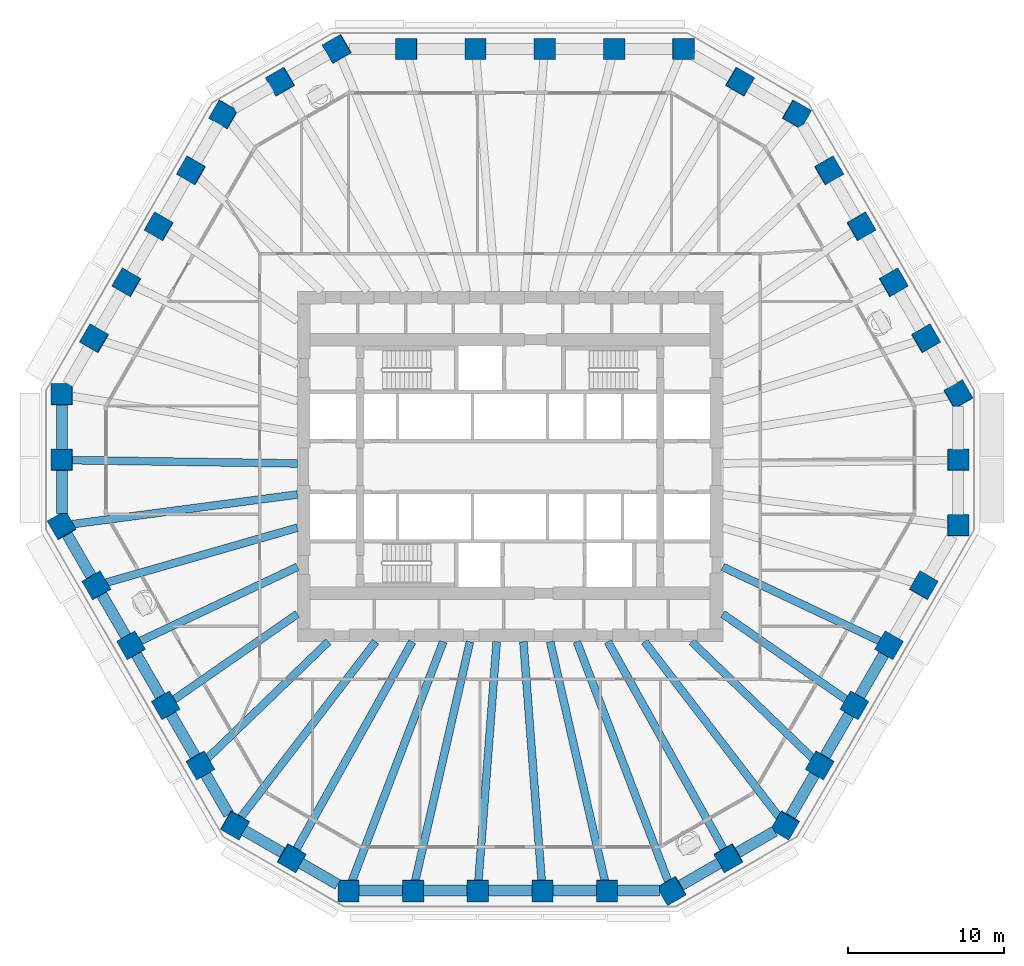
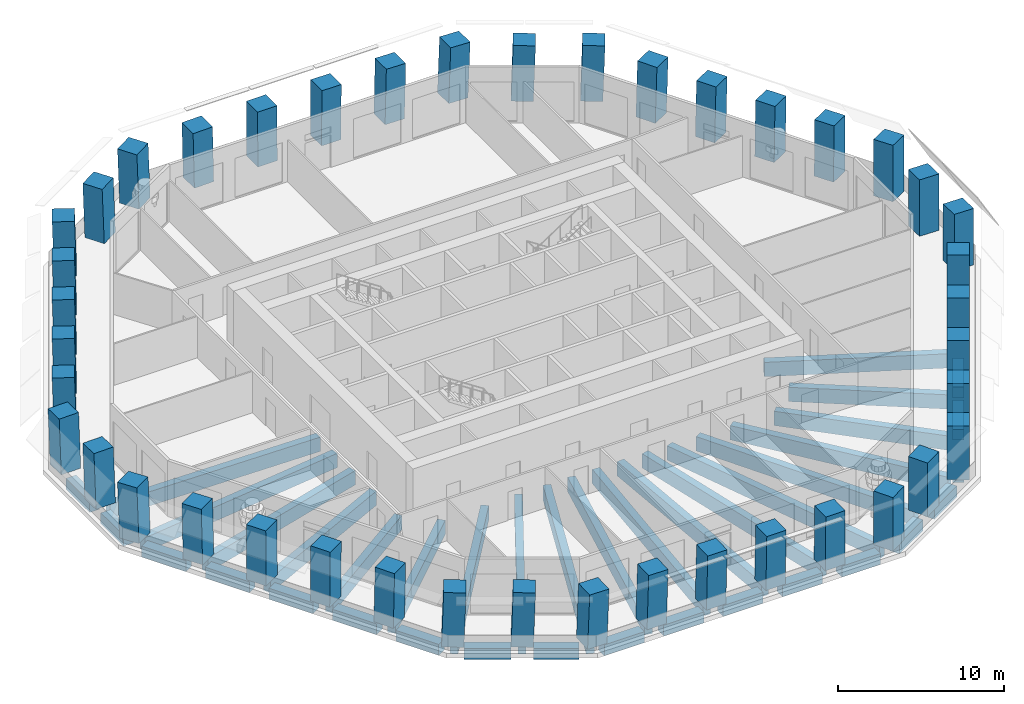
# One storey, part 1 of 13: 42 columns, 38 beams.
"""IFC4 building model written with IfcOpenShell, lengths in metres."""

from ifc_helpers import new_model, si_unit, direction, frame, origin, origin_2d, place, context, subcontext, project, spatial, rectangle, extrude, material, material_profile, profile_set, type_object, element, save


model = new_model("IFC4")

# Units and contexts
model_context = context("Model", 3, precision=1e-05, world=origin(), true_north=direction((0.0, 1.0)))
body_context = subcontext(model_context, "Body", "Model", "MODEL_VIEW")
ifc_project = project(units=[si_unit("LENGTHUNIT", "METRE"), si_unit("AREAUNIT", "SQUARE_METRE"), si_unit("VOLUMEUNIT", "CUBIC_METRE"), si_unit("PLANEANGLEUNIT", "RADIAN"), si_unit("MASSUNIT", "GRAM", prefix="KILO")], contexts=[model_context])

# Site, building, storey
site_placement = place(None, origin())
site = spatial("IfcSite", under=ifc_project, at=site_placement, CompositionType="ELEMENT")
building_placement = place(site_placement, origin())
building = spatial("IfcBuilding", under=site, at=building_placement, Name="Frailejon Research Tower", CompositionType="ELEMENT")
storey_placement = place(building_placement, frame((0.0, 0.0, 94.0)))
storey = spatial("IfcBuildingStorey", under=building, at=storey_placement, Name="L20", CompositionType="ELEMENT", Elevation=94.0)

# Columns
ifc_material_1 = material(Name="Concrete C70/85", Category="concrete")
ifc_material_profile_1 = material_profile(ifc_material_1, rectangle(XDim=1.35009765625, YDim=1.35009765625, at=origin_2d()), Name="Column 1350")
ifc_profile_set_1 = profile_set([ifc_material_profile_1], Name="Concrete C70/85")
column_type = type_object("IfcColumnType", Name="Column 1350", PredefinedType="COLUMN", material=ifc_profile_set_1)
for number, where, z_axis, x_axis, name in (
    (1, (28.65234375, -3.772705078125, 0.0), (0.018132630042, 0.031385715123, 0.999342856388), (-0.000336383425, 0.999507319949, -0.031384776797), "Column C01"),
    (2, (28.65234375, 0.414794921875, 0.0), (0.018132630042, 0.031385715123, 0.999342856388), (-2.2275817e-05, 0.999507197449, -0.031390472292), "Column C02"),
    (3, (28.65234375, 4.602294921875, 0.0), (0.018132595726, 0.031445896907, 0.999340965106), (-0.50065774428, 0.865455051457, -0.018148746509), "Column C03"),
):
    element("IfcColumn", number, at=place(storey_placement, frame(where, z_axis=z_axis, x_axis=x_axis)), inside=storey, type_object=column_type, Name=name, PredefinedType="COLUMN", context=body_context, shape_type="SweptSolid", body=[
        extrude(rectangle(XDim=1.35009765625, YDim=1.35009765625, at=origin_2d()), origin(), (0.0, 0.0, 1.0), 4.052734375),
    ])
column_1_placement = place(storey_placement, frame((26.584228515625, 8.184326171875, 0.0), z_axis=(0.021749390218, 0.025123256844, 0.9994477405), x_axis=(-0.500502362591, 0.865666942435, -0.01086875412)))
element("IfcColumn", 4, at=column_1_placement, inside=storey, type_object=column_type, Name="Column C04", PredefinedType="COLUMN", context=body_context, shape_type="SweptSolid", body=[
    extrude(rectangle(XDim=1.35009765625, YDim=1.35009765625, at=origin_2d()), origin(), (0.0, 0.0, 1.0), 4.05224609375),
])
for number, where, z_axis, x_axis, name in (
    (5, (24.51611328125, 11.766357421875, 0.0), (0.025365582388, 0.018858497119, 0.999500347332), (-0.500321526885, 0.865832042738, -0.003639162491), "Column C05"),
    (6, (22.447998046875, 15.348388671875, 0.0), (0.029040838643, 0.012592396839, 0.999498905068), (-0.500309041058, 0.865839303482, 0.003628220107), "Column C06"),
):
    element("IfcColumn", number, at=place(storey_placement, frame(where, z_axis=z_axis, x_axis=x_axis)), inside=storey, type_object=column_type, Name=name, PredefinedType="COLUMN", context=body_context, shape_type="SweptSolid", body=[
        extrude(rectangle(XDim=1.35009765625, YDim=1.35009765625, at=origin_2d()), origin(), (0.0, 0.0, 1.0), 4.052001953125),
    ])
column_2_placement = place(storey_placement, frame((20.3798828125, 18.930419921875, 0.0), z_axis=(0.032654187208, 0.006265748099, 0.999447069363), x_axis=(-0.498938011444, 0.86656951925, 0.010868718561)))
element("IfcColumn", 7, at=column_2_placement, inside=storey, type_object=column_type, Name="Column C07", PredefinedType="COLUMN", context=body_context, shape_type="SweptSolid", body=[
    extrude(rectangle(XDim=1.35009765625, YDim=1.35009765625, at=origin_2d()), origin(), (0.0, 0.0, 1.0), 4.05224609375),
])
for number, where, z_axis, x_axis, name in (
    (8, (18.31201171875, 22.512451171875, 0.0), (0.036265236264, 0.0, 0.999342199969), (-0.865313546461, 0.500246354177, 0.031401456084), "Column C08"),
    (9, (14.685302734375, 24.606201171875, 0.0), (0.036325398096, 0.0, 0.999340014936), (-0.865311654478, 0.500246354177, 0.031453549198), "Column C09"),
    (10, (11.058837890625, 26.699951171875, 0.0), (0.036265236264, 0.0, 0.999342199969), (-0.999342199969, 0.0, 0.036265236264), "Column C10"),
):
    element("IfcColumn", number, at=place(storey_placement, frame(where, z_axis=z_axis, x_axis=x_axis)), inside=storey, type_object=column_type, Name=name, PredefinedType="COLUMN", context=body_context, shape_type="SweptSolid", body=[
        extrude(rectangle(XDim=1.35009765625, YDim=1.35009765625, at=origin_2d()), origin(), (0.0, 0.0, 1.0), 4.052734375),
    ])
column_3_placement = place(storey_placement, frame((6.63525390625, 26.699951171875, 0.0), z_axis=(0.021756257337, 0.0, 0.999763304621), x_axis=(-0.999763304621, 0.0, 0.021756257337)))
element("IfcColumn", 11, at=column_3_placement, inside=storey, type_object=column_type, Name="Column C11", PredefinedType="COLUMN", context=body_context, shape_type="SweptSolid", body=[
    extrude(rectangle(XDim=1.35009765625, YDim=1.35009765625, at=origin_2d()), origin(), (0.0, 0.0, 1.0), 4.051025390625),
])
for number, where, z_axis, x_axis, name in (
    (12, (2.2119140625, 26.699951171875, 0.0), (0.007233519834, 0.0, 0.999973837753), (-0.999973837753, 0.0, 0.007233519834), "Column C12"),
    (13, (-2.2119140625, 26.699951171875, 0.0), (-0.007233519834, 0.0, 0.999973837753), (-0.999973837753, 0.0, -0.007233519834), "Column C13"),
):
    element("IfcColumn", number, at=place(storey_placement, frame(where, z_axis=z_axis, x_axis=x_axis)), inside=storey, type_object=column_type, Name=name, PredefinedType="COLUMN", context=body_context, shape_type="SweptSolid", body=[
        extrude(rectangle(XDim=1.35009765625, YDim=1.35009765625, at=origin_2d()), origin(), (0.0, 0.0, 1.0), 4.050048828125),
    ])
column_4_placement = place(storey_placement, frame((-6.63525390625, 26.699951171875, 0.0), z_axis=(-0.021756257337, 0.0, 0.999763304621), x_axis=(-0.999763304621, 0.0, -0.021756257337)))
element("IfcColumn", 14, at=column_4_placement, inside=storey, type_object=column_type, Name="Column C14", PredefinedType="COLUMN", context=body_context, shape_type="SweptSolid", body=[
    extrude(rectangle(XDim=1.35009765625, YDim=1.35009765625, at=origin_2d()), origin(), (0.0, 0.0, 1.0), 4.051025390625),
])
for number, where, z_axis, x_axis, name in (
    (15, (-11.058837890625, 26.699951171875, 0.0), (-0.036265236264, 0.0, 0.999342199969), (-0.865313546461, -0.500246354177, -0.031401456084), "Column C15"),
    (16, (-14.685302734375, 24.606201171875, 0.0), (-0.036325398096, 0.0, 0.999340014936), (-0.865311654478, -0.500246354177, -0.031453549198), "Column C16"),
    (17, (-18.31201171875, 22.512451171875, 0.0), (-0.036265236264, 0.0, 0.999342199969), (-0.499424867419, -0.866167613071, -0.018123682572), "Column C17"),
):
    element("IfcColumn", number, at=place(storey_placement, frame(where, z_axis=z_axis, x_axis=x_axis)), inside=storey, type_object=column_type, Name=name, PredefinedType="COLUMN", context=body_context, shape_type="SweptSolid", body=[
        extrude(rectangle(XDim=1.35009765625, YDim=1.35009765625, at=origin_2d()), origin(), (0.0, 0.0, 1.0), 4.052734375),
    ])
column_5_placement = place(storey_placement, frame((-20.3798828125, 18.930419921875, 0.0), z_axis=(-0.032654187208, 0.006265748099, 0.999447069363), x_axis=(-0.498938011444, -0.86656951925, -0.010868718561)))
element("IfcColumn", 18, at=column_5_placement, inside=storey, type_object=column_type, Name="Column C18", PredefinedType="COLUMN", context=body_context, shape_type="SweptSolid", body=[
    extrude(rectangle(XDim=1.35009765625, YDim=1.35009765625, at=origin_2d()), origin(), (0.0, 0.0, 1.0), 4.05224609375),
])
for number, where, z_axis, x_axis, name in (
    (19, (-22.447998046875, 15.348388671875, 0.0), (-0.029040838643, 0.012592396839, 0.999498905068), (-0.500309041058, -0.865839303482, -0.003628220107), "Column C19"),
    (20, (-24.51611328125, 11.766357421875, 0.0), (-0.025365582388, 0.018858497119, 0.999500347332), (-0.500321526885, -0.865832042738, 0.003639162491), "Column C20"),
):
    element("IfcColumn", number, at=place(storey_placement, frame(where, z_axis=z_axis, x_axis=x_axis)), inside=storey, type_object=column_type, Name=name, PredefinedType="COLUMN", context=body_context, shape_type="SweptSolid", body=[
        extrude(rectangle(XDim=1.35009765625, YDim=1.35009765625, at=origin_2d()), origin(), (0.0, 0.0, 1.0), 4.052001953125),
    ])
column_6_placement = place(storey_placement, frame((-26.584228515625, 8.184326171875, 0.0), z_axis=(-0.021749390218, 0.025123256844, 0.9994477405), x_axis=(-0.500502362591, -0.865666942435, 0.01086875412)))
element("IfcColumn", 21, at=column_6_placement, inside=storey, type_object=column_type, Name="Column C21", PredefinedType="COLUMN", context=body_context, shape_type="SweptSolid", body=[
    extrude(rectangle(XDim=1.35009765625, YDim=1.35009765625, at=origin_2d()), origin(), (0.0, 0.0, 1.0), 4.05224609375),
])
for number, where, z_axis, x_axis, name in (
    (22, (-28.65234375, 4.602294921875, 0.0), (-0.018132595726, 0.031445896907, 0.999340965106), (-0.000852885111, -0.999505415626, 0.031435596392), "Column C22"),
    (23, (-28.65234375, 0.414794921875, 0.0), (-0.018132630042, 0.031385715123, 0.999342856388), (-2.2275817e-05, -0.999507197449, 0.031390472292), "Column C23"),
    (24, (-28.65234375, -3.772705078125, 0.0), (-0.018132630042, 0.031385715123, 0.999342856388), (0.49987281181, -0.865340000596, 0.036247143087), "Column C24"),
):
    element("IfcColumn", number, at=place(storey_placement, frame(where, z_axis=z_axis, x_axis=x_axis)), inside=storey, type_object=column_type, Name=name, PredefinedType="COLUMN", context=body_context, shape_type="SweptSolid", body=[
        extrude(rectangle(XDim=1.35009765625, YDim=1.35009765625, at=origin_2d()), origin(), (0.0, 0.0, 1.0), 4.052734375),
    ])
column_7_placement = place(storey_placement, frame((-26.4404296875, -7.603515625, 0.0), z_axis=(-0.010908266268, 0.018803199313, 0.999763696792), x_axis=(0.501388074159, -0.864949390756, 0.021738227219)))
element("IfcColumn", 25, at=column_7_placement, inside=storey, type_object=column_type, Name="Column C25", PredefinedType="COLUMN", context=body_context, shape_type="SweptSolid", body=[
    extrude(rectangle(XDim=1.35009765625, YDim=1.35009765625, at=origin_2d()), origin(), (0.0, 0.0, 1.0), 4.051025390625),
])
for number, where, z_axis, x_axis, name in (
    (26, (-24.228759765625, -11.4345703125, 0.0), (-0.003616759812, 0.006269050341, 0.999973808685), (0.500530036588, -0.865688916746, 0.00723753388), "Column C26"),
    (27, (-22.01708984375, -15.265380859375, 0.0), (0.003677036938, -0.006329325876, 0.999973209158), (0.500791168023, -0.86553718882, -0.007319890655), "Column C27"),
):
    element("IfcColumn", number, at=place(storey_placement, frame(where, z_axis=z_axis, x_axis=x_axis)), inside=storey, type_object=column_type, Name=name, PredefinedType="COLUMN", context=body_context, shape_type="SweptSolid", body=[
        extrude(rectangle(XDim=1.35009765625, YDim=1.35009765625, at=origin_2d()), origin(), (0.0, 0.0, 1.0), 4.050048828125),
    ])
column_8_placement = place(storey_placement, frame((-19.80517578125, -19.096435546875, 0.0), z_axis=(0.010908266268, -0.018803199313, 0.999763696792), x_axis=(0.501388074159, -0.864949390756, -0.021738227219)))
element("IfcColumn", 28, at=column_8_placement, inside=storey, type_object=column_type, Name="Column C28", PredefinedType="COLUMN", context=body_context, shape_type="SweptSolid", body=[
    extrude(rectangle(XDim=1.35009765625, YDim=1.35009765625, at=origin_2d()), origin(), (0.0, 0.0, 1.0), 4.051025390625),
])
for number, where, z_axis, x_axis, name in (
    (29, (-17.593505859375, -22.92724609375, 0.0), (0.018132630042, -0.031385715123, 0.999342856388), (0.865999247617, -0.499059286831, -0.031386802217), "Column C29"),
    (30, (-13.966796875, -25.02099609375, 0.0), (0.018132630042, -0.031385715123, 0.999342856388), (0.866156195426, -0.498787200508, -0.031381104725), "Column C30"),
    (31, (-10.34033203125, -27.11474609375, 0.0), (0.018132595726, -0.031445896907, 0.999340965106), (0.99983524919, -0.000256147078, -0.018149624376), "Column C31"),
):
    element("IfcColumn", number, at=place(storey_placement, frame(where, z_axis=z_axis, x_axis=x_axis)), inside=storey, type_object=column_type, Name=name, PredefinedType="COLUMN", context=body_context, shape_type="SweptSolid", body=[
        extrude(rectangle(XDim=1.35009765625, YDim=1.35009765625, at=origin_2d()), origin(), (0.0, 0.0, 1.0), 4.052734375),
    ])
column_9_placement = place(storey_placement, frame((-6.2041015625, -27.11474609375, 0.0), z_axis=(0.010844558034, -0.031449218299, 0.999446517944), x_axis=(0.999940272601, -0.001017302155, -0.010881926626)))
element("IfcColumn", 32, at=column_9_placement, inside=storey, type_object=column_type, Name="Column C32", PredefinedType="COLUMN", context=body_context, shape_type="SweptSolid", body=[
    extrude(rectangle(XDim=1.35009765625, YDim=1.35009765625, at=origin_2d()), origin(), (0.0, 0.0, 1.0), 4.05224609375),
])
for number, where, z_axis, x_axis, name in (
    (33, (-2.068115234375, -27.11474609375, 0.0), (0.003615041636, -0.031450862236, 0.999498761749), (0.999993193045, -0.000624412618, -0.003636478086), "Column C33"),
    (34, (2.068115234375, -27.11474609375, 0.0), (-0.003615041636, -0.031450862236, 0.999498761749), (0.999993193045, 0.000624412618, 0.003636478086), "Column C34"),
):
    element("IfcColumn", number, at=place(storey_placement, frame(where, z_axis=z_axis, x_axis=x_axis)), inside=storey, type_object=column_type, Name=name, PredefinedType="COLUMN", context=body_context, shape_type="SweptSolid", body=[
        extrude(rectangle(XDim=1.35009765625, YDim=1.35009765625, at=origin_2d()), origin(), (0.0, 0.0, 1.0), 4.052001953125),
    ])
column_10_placement = place(storey_placement, frame((6.2041015625, -27.11474609375, 0.0), z_axis=(-0.010844558034, -0.031449218299, 0.999446517944), x_axis=(0.999940272601, 0.001017302155, 0.010881926626)))
element("IfcColumn", 35, at=column_10_placement, inside=storey, type_object=column_type, Name="Column C35", PredefinedType="COLUMN", context=body_context, shape_type="SweptSolid", body=[
    extrude(rectangle(XDim=1.35009765625, YDim=1.35009765625, at=origin_2d()), origin(), (0.0, 0.0, 1.0), 4.05224609375),
])
for number, where, z_axis, x_axis, name in (
    (36, (10.34033203125, -27.11474609375, 0.0), (-0.018132595726, -0.031445896907, 0.999340965106), (0.865469370655, 0.499974541214, 0.031436071558), "Column C36"),
    (37, (13.966796875, -25.02099609375, 0.0), (-0.018132630042, -0.031385715123, 0.999342856388), (0.866156195426, 0.498787200508, 0.031381104725), "Column C37"),
    (38, (17.593505859375, -22.92724609375, 0.0), (-0.018132630042, -0.031385715123, 0.999342856388), (0.49987281181, 0.865340000596, 0.036247143087), "Column C38"),
):
    element("IfcColumn", number, at=place(storey_placement, frame(where, z_axis=z_axis, x_axis=x_axis)), inside=storey, type_object=column_type, Name=name, PredefinedType="COLUMN", context=body_context, shape_type="SweptSolid", body=[
        extrude(rectangle(XDim=1.35009765625, YDim=1.35009765625, at=origin_2d()), origin(), (0.0, 0.0, 1.0), 4.052734375),
    ])
column_11_placement = place(storey_placement, frame((19.80517578125, -19.096435546875, 0.0), z_axis=(-0.010908266268, -0.018803199313, 0.999763696792), x_axis=(0.501388074159, 0.864949390756, 0.021738227219)))
element("IfcColumn", 39, at=column_11_placement, inside=storey, type_object=column_type, Name="Column C39", PredefinedType="COLUMN", context=body_context, shape_type="SweptSolid", body=[
    extrude(rectangle(XDim=1.35009765625, YDim=1.35009765625, at=origin_2d()), origin(), (0.0, 0.0, 1.0), 4.051025390625),
])
for number, where, z_axis, x_axis, name in (
    (40, (22.01708984375, -15.265380859375, 0.0), (-0.003677036938, -0.006329325876, 0.999973209158), (0.500791168023, 0.86553718882, 0.007319890655), "Column C40"),
    (41, (24.228759765625, -11.4345703125, 0.0), (0.003616759812, 0.006269050341, 0.999973808685), (0.500530036588, 0.865688916746, -0.00723753388), "Column C41"),
):
    element("IfcColumn", number, at=place(storey_placement, frame(where, z_axis=z_axis, x_axis=x_axis)), inside=storey, type_object=column_type, Name=name, PredefinedType="COLUMN", context=body_context, shape_type="SweptSolid", body=[
        extrude(rectangle(XDim=1.35009765625, YDim=1.35009765625, at=origin_2d()), origin(), (0.0, 0.0, 1.0), 4.050048828125),
    ])
column_12_placement = place(storey_placement, frame((26.4404296875, -7.603515625, 0.0), z_axis=(0.010908266268, 0.018803199313, 0.999763696792), x_axis=(0.501388074159, 0.864949390756, -0.021738227219)))
element("IfcColumn", 42, at=column_12_placement, inside=storey, type_object=column_type, Name="Column C42", PredefinedType="COLUMN", context=body_context, shape_type="SweptSolid", body=[
    extrude(rectangle(XDim=1.35009765625, YDim=1.35009765625, at=origin_2d()), origin(), (0.0, 0.0, 1.0), 4.051025390625),
])

# Beams
ifc_material_2 = material(Name="Concrete C60/75", Category="concrete")
ifc_material_profile_2 = material_profile(ifc_material_2, rectangle(XDim=0.5, YDim=1.050048828125, at=origin_2d()), Name="Girder 500x1050")
ifc_profile_set_2 = profile_set([ifc_material_profile_2], Name="Concrete C60/75")
beam_type_1 = type_object("IfcBeamType", Name="Girder 500x1050", PredefinedType="BEAM", material=ifc_profile_set_2)
beam_1_placement = place(storey_placement, frame((-28.127197265625, 0.4072265625, -0.824951171875), z_axis=(0.999895328032, -0.014468344074, 0.0), x_axis=(0.014468344074, 0.999895328032, 0.0)))
element("IfcBeam", 43, at=beam_1_placement, inside=storey, type_object=beam_type_1, Name="Girder 500x1050", PredefinedType="BEAM", context=body_context, shape_type="SweptSolid", body=[
    extrude(rectangle(XDim=0.5, YDim=1.050048828125, at=origin_2d()), origin(), (0.0, 0.0, 1.0), 14.528564453125),
])
beam_2_placement = place(storey_placement, frame((-28.07666015625, -3.697021484375, -0.824951171875), z_axis=(0.99144154293, 0.130551395831, 0.0), x_axis=(-0.130551395831, 0.99144154293, 0.0)))
element("IfcBeam", 44, at=beam_2_placement, inside=storey, type_object=beam_type_1, Name="Girder 500x1050", PredefinedType="BEAM", context=body_context, shape_type="SweptSolid", body=[
    extrude(rectangle(XDim=0.5, YDim=1.050048828125, at=origin_2d()), origin(), (0.0, 0.0, 1.0), 14.6015625),
])
beam_3_placement = place(storey_placement, frame((-25.916259765625, -7.452880859375, -0.824951171875), z_axis=(0.961046598858, 0.276386386826, 0.0), x_axis=(-0.276386386826, 0.961046598858, 0.0)))
element("IfcBeam", 45, at=beam_3_placement, inside=storey, type_object=beam_type_1, Name="Girder 500x1050", PredefinedType="BEAM", context=body_context, shape_type="SweptSolid", body=[
    extrude(rectangle(XDim=0.5, YDim=1.050048828125, at=origin_2d()), origin(), (0.0, 0.0, 1.0), 12.8154296875),
])
beam_4_placement = place(storey_placement, frame((-23.751953125, -11.20947265625, -0.824951171875), z_axis=(0.904348925917, 0.426793884907, 0.0), x_axis=(-0.426793884907, 0.904348925917, 0.0)))
element("IfcBeam", 46, at=beam_4_placement, inside=storey, type_object=beam_type_1, Name="Girder 500x1050", PredefinedType="BEAM", context=body_context, shape_type="SweptSolid", body=[
    extrude(rectangle(XDim=0.5, YDim=1.050048828125, at=origin_2d()), origin(), (0.0, 0.0, 1.0), 11.2255859375),
])
beam_5_placement = place(storey_placement, frame((-21.583740234375, -14.965087890625, -0.824951171875), z_axis=(0.821793922771, 0.569784826488, 0.0), x_axis=(-0.569784826488, 0.821793922771, 0.0)))
element("IfcBeam", 47, at=beam_5_placement, inside=storey, type_object=beam_type_1, Name="Girder 500x1050", PredefinedType="BEAM", context=body_context, shape_type="SweptSolid", body=[
    extrude(rectangle(XDim=0.5, YDim=1.050048828125, at=origin_2d()), origin(), (0.0, 0.0, 1.0), 9.71484375),
])
beam_6_placement = place(storey_placement, frame((-19.41259765625, -18.7177734375, -0.824951171875), z_axis=(0.719871648072, 0.694107203754, 0.0), x_axis=(-0.694107203754, 0.719871648072, 0.0)))
element("IfcBeam", 48, at=beam_6_placement, inside=storey, type_object=beam_type_1, Name="Girder 500x1050", PredefinedType="BEAM", context=body_context, shape_type="SweptSolid", body=[
    extrude(rectangle(XDim=0.5, YDim=1.050048828125, at=origin_2d()), origin(), (0.0, 0.0, 1.0), 10.830810546875),
])
beam_7_placement = place(storey_placement, frame((-17.270263671875, -22.506103515625, -0.824951171875), z_axis=(0.608773151554, 0.793344345128, 0.0), x_axis=(-0.793344345128, 0.608773151554, 0.0)))
element("IfcBeam", 49, at=beam_7_placement, inside=storey, type_object=beam_type_1, Name="Girder 500x1050", PredefinedType="BEAM", context=body_context, shape_type="SweptSolid", body=[
    extrude(rectangle(XDim=0.5, YDim=1.050048828125, at=origin_2d()), origin(), (0.0, 0.0, 1.0), 14.251220703125),
])
beam_8_placement = place(storey_placement, frame((-13.7109375, -24.5625, -0.824951171875), z_axis=(0.487406894063, 0.873174965067, 0.0), x_axis=(-0.873174965067, 0.487406894063, 0.0)))
element("IfcBeam", 50, at=beam_8_placement, inside=storey, type_object=beam_type_1, Name="Girder 500x1050", PredefinedType="BEAM", context=body_context, shape_type="SweptSolid", body=[
    extrude(rectangle(XDim=0.5, YDim=1.050048828125, at=origin_2d()), origin(), (0.0, 0.0, 1.0), 15.303466796875),
])
beam_9_placement = place(storey_placement, frame((-10.136474609375, -26.580078125, -0.824951171875), z_axis=(0.356320961081, 0.934363619098, 0.0), x_axis=(-0.934363619098, 0.356320961081, 0.0)))
element("IfcBeam", 51, at=beam_9_placement, inside=storey, type_object=beam_type_1, Name="Girder 500x1050", PredefinedType="BEAM", context=body_context, shape_type="SweptSolid", body=[
    extrude(rectangle(XDim=0.5, YDim=1.050048828125, at=origin_2d()), origin(), (0.0, 0.0, 1.0), 16.46044921875),
])
beam_10_placement = place(storey_placement, frame((-6.083251953125, -26.5859375, -0.824951171875), z_axis=(0.223048235324, 0.97480740904, 0.0), x_axis=(-0.97480740904, 0.223048235324, 0.0)))
element("IfcBeam", 52, at=beam_10_placement, inside=storey, type_object=beam_type_1, Name="Girder 500x1050", PredefinedType="BEAM", context=body_context, shape_type="SweptSolid", body=[
    extrude(rectangle(XDim=0.5, YDim=1.050048828125, at=origin_2d()), origin(), (0.0, 0.0, 1.0), 15.78369140625),
])
for number, where, z_axis, x_axis, name in (
    (53, (-2.028076171875, -26.58935546875, -0.824951171875), (0.076054168779, 0.997103687392, 0.0), (-0.997103687392, 0.076054168779, 0.0), "Girder 500x1050"),
    (54, (2.028076171875, -26.58935546875, -0.824951171875), (-0.076054168779, 0.997103687392, 0.0), (-0.997103687392, -0.076054168779, 0.0), "Girder 500x1050"),
):
    element("IfcBeam", number, at=place(storey_placement, frame(where, z_axis=z_axis, x_axis=x_axis)), inside=storey, type_object=beam_type_1, Name=name, PredefinedType="BEAM", context=body_context, shape_type="SweptSolid", body=[
        extrude(rectangle(XDim=0.5, YDim=1.050048828125, at=origin_2d()), origin(), (0.0, 0.0, 1.0), 15.43408203125),
    ])
beam_11_placement = place(storey_placement, frame((6.083251953125, -26.5859375, -0.824951171875), z_axis=(-0.223048235324, 0.97480740904, 0.0), x_axis=(-0.97480740904, -0.223048235324, 0.0)))
element("IfcBeam", 55, at=beam_11_placement, inside=storey, type_object=beam_type_1, Name="Girder 500x1050", PredefinedType="BEAM", context=body_context, shape_type="SweptSolid", body=[
    extrude(rectangle(XDim=0.5, YDim=1.050048828125, at=origin_2d()), origin(), (0.0, 0.0, 1.0), 15.78369140625),
])
beam_12_placement = place(storey_placement, frame((10.150146484375, -26.6162109375, -0.824951171875), z_axis=(-0.356315276694, 0.934365786828, 0.0), x_axis=(-0.934365786828, -0.356315276694, 0.0)))
element("IfcBeam", 56, at=beam_12_placement, inside=storey, type_object=beam_type_1, Name="Girder 500x1050", PredefinedType="BEAM", context=body_context, shape_type="SweptSolid", body=[
    extrude(rectangle(XDim=0.5, YDim=1.050048828125, at=origin_2d()), origin(), (0.0, 0.0, 1.0), 16.499267578125),
])
beam_13_placement = place(storey_placement, frame((13.7109375, -24.5625, -0.824951171875), z_axis=(-0.487406894063, 0.873174965067, 0.0), x_axis=(-0.873174965067, -0.487406894063, 0.0)))
element("IfcBeam", 57, at=beam_13_placement, inside=storey, type_object=beam_type_1, Name="Girder 500x1050", PredefinedType="BEAM", context=body_context, shape_type="SweptSolid", body=[
    extrude(rectangle(XDim=0.5, YDim=1.050048828125, at=origin_2d()), origin(), (0.0, 0.0, 1.0), 15.303466796875),
])
beam_14_placement = place(storey_placement, frame((17.239990234375, -22.466796875, -0.824951171875), z_axis=(-0.608768211424, 0.793348135915, 0.0), x_axis=(-0.793348135915, -0.608768211424, 0.0)))
element("IfcBeam", 58, at=beam_14_placement, inside=storey, type_object=beam_type_1, Name="Girder 500x1050", PredefinedType="BEAM", context=body_context, shape_type="SweptSolid", body=[
    extrude(rectangle(XDim=0.5, YDim=1.050048828125, at=origin_2d()), origin(), (0.0, 0.0, 1.0), 14.20166015625),
])
beam_15_placement = place(storey_placement, frame((19.41259765625, -18.7177734375, -0.824951171875), z_axis=(-0.719871648072, 0.694107203754, 0.0), x_axis=(-0.694107203754, -0.719871648072, 0.0)))
element("IfcBeam", 59, at=beam_15_placement, inside=storey, type_object=beam_type_1, Name="Girder 500x1050", PredefinedType="BEAM", context=body_context, shape_type="SweptSolid", body=[
    extrude(rectangle(XDim=0.5, YDim=1.050048828125, at=origin_2d()), origin(), (0.0, 0.0, 1.0), 10.830810546875),
])
beam_16_placement = place(storey_placement, frame((21.583740234375, -14.965087890625, -0.824951171875), z_axis=(-0.821793922771, 0.569784826488, 0.0), x_axis=(-0.569784826488, -0.821793922771, 0.0)))
element("IfcBeam", 60, at=beam_16_placement, inside=storey, type_object=beam_type_1, Name="Girder 500x1050", PredefinedType="BEAM", context=body_context, shape_type="SweptSolid", body=[
    extrude(rectangle(XDim=0.5, YDim=1.050048828125, at=origin_2d()), origin(), (0.0, 0.0, 1.0), 9.71484375),
])
beam_17_placement = place(storey_placement, frame((23.751953125, -11.20947265625, -0.824951171875), z_axis=(-0.904348925917, 0.426793884907, 0.0), x_axis=(-0.426793884907, -0.904348925917, 0.0)))
element("IfcBeam", 61, at=beam_17_placement, inside=storey, type_object=beam_type_1, Name="Girder 500x1050", PredefinedType="BEAM", context=body_context, shape_type="SweptSolid", body=[
    extrude(rectangle(XDim=0.5, YDim=1.050048828125, at=origin_2d()), origin(), (0.0, 0.0, 1.0), 11.2255859375),
])
ifc_material_3 = material(Name="Concrete C60/75", Category="concrete")
ifc_material_profile_3 = material_profile(ifc_material_3, rectangle(XDim=0.699951171875, YDim=0.800048828125, at=origin_2d()), Name="Spandrel 700x800")
ifc_profile_set_3 = profile_set([ifc_material_profile_3], Name="Concrete C60/75")
beam_type_2 = type_object("IfcBeamType", Name="Spandrel 700x800", PredefinedType="BEAM", material=ifc_profile_set_3)
beam_18_placement = place(storey_placement, frame((-28.65234375, 3.927490234375, -0.75), z_axis=(0.0, -1.0, 0.0), x_axis=(1.0, 0.0, 0.0)))
element("IfcBeam", 62, at=beam_18_placement, inside=storey, type_object=beam_type_2, Name="Spandrel 700x800", PredefinedType="BEAM", context=body_context, shape_type="SweptSolid", body=[
    extrude(rectangle(XDim=0.699951171875, YDim=0.800048828125, at=origin_2d()), origin(), (0.0, 0.0, 1.0), 2.837646484375),
])
beam_19_placement = place(storey_placement, frame((-28.65234375, -0.26025390625, -0.75), z_axis=(0.0, -1.0, 0.0), x_axis=(1.0, 0.0, 0.0)))
element("IfcBeam", 63, at=beam_19_placement, inside=storey, type_object=beam_type_2, Name="Spandrel 700x800", PredefinedType="BEAM", context=body_context, shape_type="SweptSolid", body=[
    extrude(rectangle(XDim=0.699951171875, YDim=0.800048828125, at=origin_2d()), origin(), (0.0, 0.0, 1.0), 2.733154296875),
])
for number, where, z_axis, x_axis, name in (
    (64, (-28.314697265625, -4.357421875, -0.75), (0.499983756713, -0.866034781647, 0.0), (0.866034781647, 0.499983756713, 0.0), "Spandrel 700x800"),
    (65, (-26.10302734375, -8.188232421875, -0.75), (0.499983756713, -0.866034781647, 0.0), (0.866034781647, 0.499983756713, 0.0), "Spandrel 700x800"),
):
    element("IfcBeam", number, at=place(storey_placement, frame(where, z_axis=z_axis, x_axis=x_axis)), inside=storey, type_object=beam_type_2, Name=name, PredefinedType="BEAM", context=body_context, shape_type="SweptSolid", body=[
        extrude(rectangle(XDim=0.699951171875, YDim=0.800048828125, at=origin_2d()), origin(), (0.0, 0.0, 1.0), 3.0732421875),
    ])
beam_20_placement = place(storey_placement, frame((-23.891357421875, -12.01904296875, -0.75), z_axis=(0.500008936691, -0.866020244122, 0.0), x_axis=(0.866020244122, 0.500008936691, 0.0)))
element("IfcBeam", 66, at=beam_20_placement, inside=storey, type_object=beam_type_2, Name="Spandrel 700x800", PredefinedType="BEAM", context=body_context, shape_type="SweptSolid", body=[
    extrude(rectangle(XDim=0.699951171875, YDim=0.800048828125, at=origin_2d()), origin(), (0.0, 0.0, 1.0), 3.07373046875),
])
beam_21_placement = place(storey_placement, frame((-21.679443359375, -15.85009765625, -0.75), z_axis=(0.500043333071, -0.866000383978, 0.0), x_axis=(0.866000383978, 0.500043333071, 0.0)))
element("IfcBeam", 67, at=beam_21_placement, inside=storey, type_object=beam_type_2, Name="Spandrel 700x800", PredefinedType="BEAM", context=body_context, shape_type="SweptSolid", body=[
    extrude(rectangle(XDim=0.699951171875, YDim=0.800048828125, at=origin_2d()), origin(), (0.0, 0.0, 1.0), 3.073486328125),
])
beam_22_placement = place(storey_placement, frame((-19.4677734375, -19.680908203125, -0.75), z_axis=(0.500021397217, -0.866013049743, 0.0), x_axis=(0.866013049743, 0.500021397217, 0.0)))
element("IfcBeam", 68, at=beam_22_placement, inside=storey, type_object=beam_type_2, Name="Spandrel 700x800", PredefinedType="BEAM", context=body_context, shape_type="SweptSolid", body=[
    extrude(rectangle(XDim=0.699951171875, YDim=0.800048828125, at=origin_2d()), origin(), (0.0, 0.0, 1.0), 2.968994140625),
])
beam_23_placement = place(storey_placement, frame((-17.0087890625, -23.264892578125, -0.75), z_axis=(0.866026538634, -0.499998034377, 0.0), x_axis=(0.499998034377, 0.866026538634, 0.0)))
element("IfcBeam", 69, at=beam_23_placement, inside=storey, type_object=beam_type_2, Name="Spandrel 700x800", PredefinedType="BEAM", context=body_context, shape_type="SweptSolid", body=[
    extrude(rectangle(XDim=0.699951171875, YDim=0.800048828125, at=origin_2d()), origin(), (0.0, 0.0, 1.0), 2.83740234375),
])
beam_24_placement = place(storey_placement, frame((-13.38232421875, -25.3583984375, -0.75), z_axis=(0.866002615699, -0.500039468044, 0.0), x_axis=(0.500039468044, 0.866002615699, 0.0)))
element("IfcBeam", 70, at=beam_24_placement, inside=storey, type_object=beam_type_2, Name="Spandrel 700x800", PredefinedType="BEAM", context=body_context, shape_type="SweptSolid", body=[
    extrude(rectangle(XDim=0.699951171875, YDim=0.800048828125, at=origin_2d()), origin(), (0.0, 0.0, 1.0), 2.733154296875),
])
for number, where, z_axis, x_axis, name in (
    (71, (-9.665283203125, -27.11474609375, -0.75), (1.0, 0.0, 0.0), (0.0, 1.0, 0.0), "Spandrel 700x800"),
    (72, (-5.529296875, -27.11474609375, -0.75), (1.0, 0.0, 0.0), (0.0, 1.0, 0.0), "Spandrel 700x800"),
    (73, (-1.39306640625, -27.11474609375, -0.75), (1.0, 0.0, 0.0), (0.0, 1.0, 0.0), "Spandrel 700x800"),
    (74, (2.7431640625, -27.11474609375, -0.75), (1.0, 0.0, 0.0), (0.0, 1.0, 0.0), "Spandrel 700x800"),
):
    element("IfcBeam", number, at=place(storey_placement, frame(where, z_axis=z_axis, x_axis=x_axis)), inside=storey, type_object=beam_type_2, Name=name, PredefinedType="BEAM", context=body_context, shape_type="SweptSolid", body=[
        extrude(rectangle(XDim=0.699951171875, YDim=0.800048828125, at=origin_2d()), origin(), (0.0, 0.0, 1.0), 2.7861328125),
    ])
beam_25_placement = place(storey_placement, frame((6.879150390625, -27.11474609375, -0.75), z_axis=(1.0, 0.0, 0.0), x_axis=(0.0, 1.0, 0.0)))
element("IfcBeam", 75, at=beam_25_placement, inside=storey, type_object=beam_type_2, Name="Spandrel 700x800", PredefinedType="BEAM", context=body_context, shape_type="SweptSolid", body=[
    extrude(rectangle(XDim=0.699951171875, YDim=0.800048828125, at=origin_2d()), origin(), (0.0, 0.0, 1.0), 2.681884765625),
])
beam_26_placement = place(storey_placement, frame((10.925048828125, -26.77734375, -0.75), z_axis=(0.865989280058, 0.500062562911, 0.0), x_axis=(-0.500062562911, 0.865989280058, 0.0)))
element("IfcBeam", 76, at=beam_26_placement, inside=storey, type_object=beam_type_2, Name="Spandrel 700x800", PredefinedType="BEAM", context=body_context, shape_type="SweptSolid", body=[
    extrude(rectangle(XDim=0.699951171875, YDim=0.800048828125, at=origin_2d()), origin(), (0.0, 0.0, 1.0), 2.837646484375),
])
beam_27_placement = place(storey_placement, frame((14.551513671875, -24.68359375, -0.75), z_axis=(0.866002615699, 0.500039468044, 0.0), x_axis=(-0.500039468044, 0.866002615699, 0.0)))
element("IfcBeam", 77, at=beam_27_placement, inside=storey, type_object=beam_type_2, Name="Spandrel 700x800", PredefinedType="BEAM", context=body_context, shape_type="SweptSolid", body=[
    extrude(rectangle(XDim=0.699951171875, YDim=0.800048828125, at=origin_2d()), origin(), (0.0, 0.0, 1.0), 2.733154296875),
])
beam_28_placement = place(storey_placement, frame((17.930908203125, -22.3427734375, -0.75), z_axis=(0.500008936691, 0.866020244122, 0.0), x_axis=(-0.866020244122, 0.500008936691, 0.0)))
element("IfcBeam", 78, at=beam_28_placement, inside=storey, type_object=beam_type_2, Name="Spandrel 700x800", PredefinedType="BEAM", context=body_context, shape_type="SweptSolid", body=[
    extrude(rectangle(XDim=0.699951171875, YDim=0.800048828125, at=origin_2d()), origin(), (0.0, 0.0, 1.0), 3.07373046875),
])
beam_29_placement = place(storey_placement, frame((20.142578125, -18.51171875, -0.75), z_axis=(0.500043333071, 0.866000383978, 0.0), x_axis=(-0.866000383978, 0.500043333071, 0.0)))
element("IfcBeam", 79, at=beam_29_placement, inside=storey, type_object=beam_type_2, Name="Spandrel 700x800", PredefinedType="BEAM", context=body_context, shape_type="SweptSolid", body=[
    extrude(rectangle(XDim=0.699951171875, YDim=0.800048828125, at=origin_2d()), origin(), (0.0, 0.0, 1.0), 3.073486328125),
])
beam_30_placement = place(storey_placement, frame((22.3544921875, -14.680908203125, -0.75), z_axis=(0.500008936691, 0.866020244122, 0.0), x_axis=(-0.866020244122, 0.500008936691, 0.0)))
element("IfcBeam", 80, at=beam_30_placement, inside=storey, type_object=beam_type_2, Name="Spandrel 700x800", PredefinedType="BEAM", context=body_context, shape_type="SweptSolid", body=[
    extrude(rectangle(XDim=0.699951171875, YDim=0.800048828125, at=origin_2d()), origin(), (0.0, 0.0, 1.0), 3.07373046875),
])

save(model, "model.ifc")
